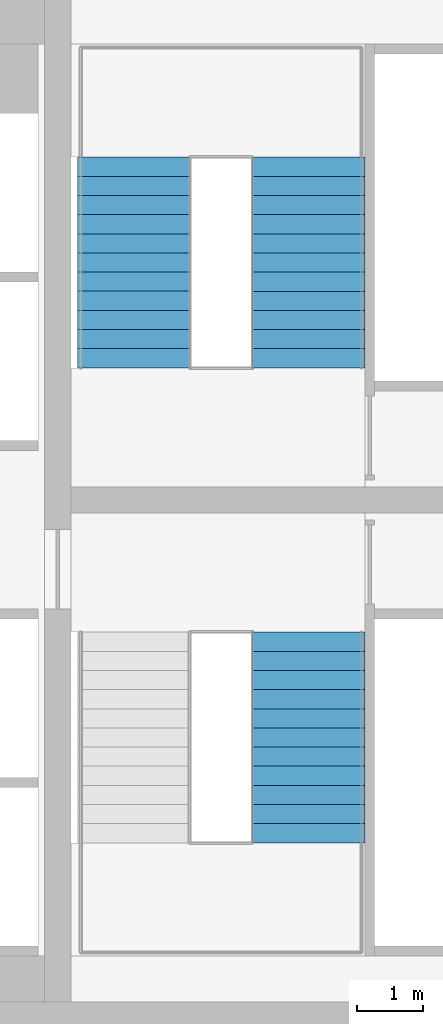
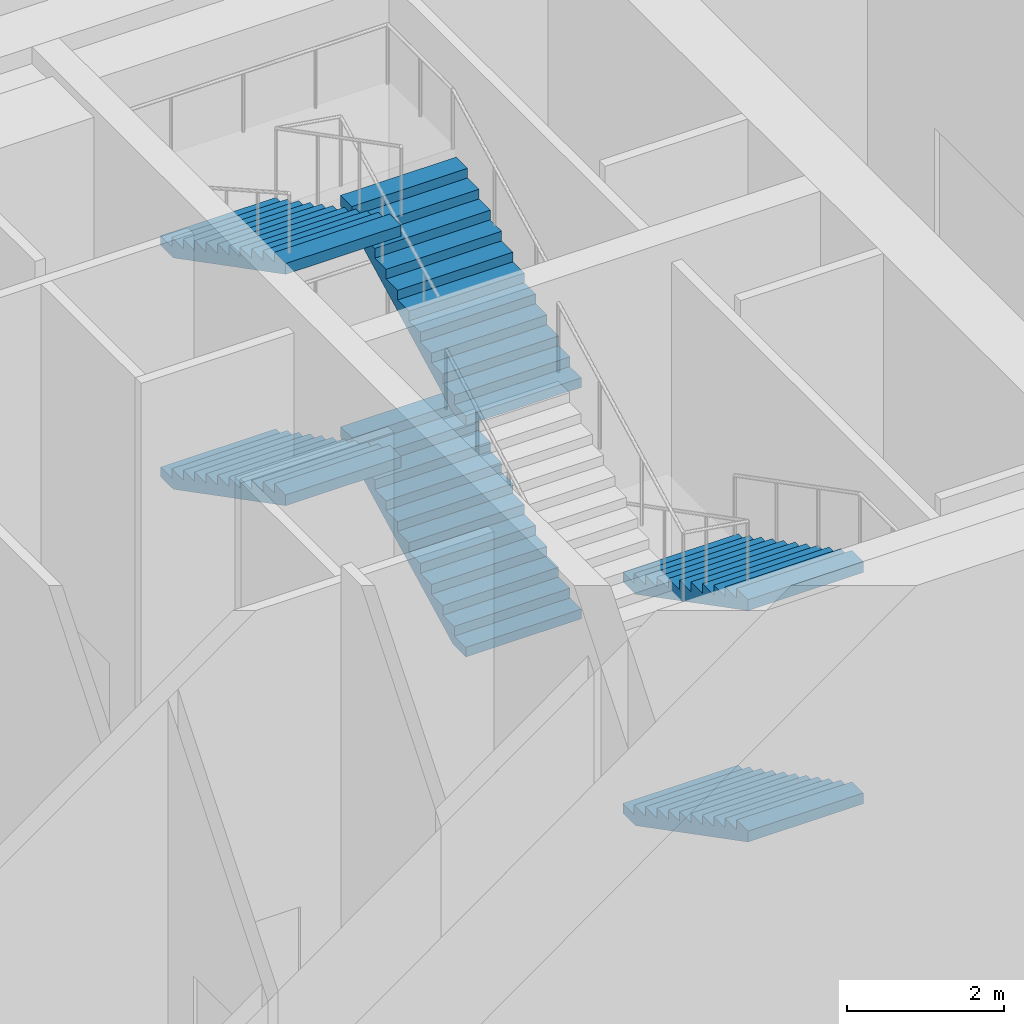
# One storey, part 23 of 25: 6 stair flights, 2 elements without a shape of their own.
"""IFC4 building model written with IfcOpenShell, lengths in metres."""

from ifc_helpers import new_model, si_unit, direction, frame, origin, place, context, subcontext, project, spatial, polyline, outline, extrude, material, type_object, element, aggregate, save


model = new_model("IFC4")

# Units and contexts
model_context = context("Model", 3, precision=1e-05, world=origin(), true_north=direction((0.0, 1.0)))
body_context = subcontext(model_context, "Body", "Model", "MODEL_VIEW")
ifc_project = project(units=[si_unit("LENGTHUNIT", "METRE"), si_unit("AREAUNIT", "SQUARE_METRE"), si_unit("VOLUMEUNIT", "CUBIC_METRE"), si_unit("PLANEANGLEUNIT", "RADIAN"), si_unit("MASSUNIT", "GRAM", prefix="KILO")], contexts=[model_context])

# Site, building, storey
site_placement = place(None, origin())
site = spatial("IfcSite", under=ifc_project, at=site_placement, CompositionType="ELEMENT")
building_placement = place(site_placement, origin())
building = spatial("IfcBuilding", under=site, at=building_placement, Name="Marenta Gate Hotel Tower", CompositionType="ELEMENT")
storey_placement = place(building_placement, frame((0.0, 0.0, 180.5)))
storey = spatial("IfcBuildingStorey", under=building, at=storey_placement, Name="L41", CompositionType="ELEMENT", Elevation=180.5)

# Stair, stair flights
ifc_material_1 = material(Name="Concrete C40", Category="concrete")
stair_type = type_object("IfcStairType", Name="Core exit stair 1700 wide", PredefinedType="HALF_TURN_STAIR", material=ifc_material_1)
stair_1_placement = place(storey_placement, origin())
stair_1 = element("IfcStair", 1, at=stair_1_placement, inside=storey, type_object=stair_type, Name="Exit stair 3", PredefinedType="HALF_TURN_STAIR")
ifc_material_2 = material(Name="Concrete C40", Category="concrete")
stair_flight_type = type_object("IfcStairFlightType", Name="Core stair flight 1700 riser 150.0 going 290", PredefinedType="STRAIGHT", material=ifc_material_2)
stair_flight_1_placement = place(storey_placement, frame((8.0, 6.39990234375, 0.0), z_axis=(0.0, 0.0, 1.0), x_axis=(0.0, -1.0, 0.0)))
stair_flight_1 = element("IfcStairFlight", 2, at=stair_flight_1_placement, type_object=stair_flight_type, Name="ST3 flight 1", NumberOfRisers=12, NumberOfTreads=11, PredefinedType="STRAIGHT", RiserHeight=0.15, TreadLength=0.29, context=body_context, shape_type="SweptSolid", body=[
    extrude(outline(polyline([(0.0, 0.0), (0.0, 0.14990234375), (0.2900390625, 0.14990234375), (0.2900390625, 0.300048828125), (0.580078125, 0.300048828125), (0.580078125, 0.449951171875), (0.8701171875, 0.449951171875), (0.8701171875, 0.60009765625), (1.159912109375, 0.60009765625), (1.159912109375, 0.75), (1.449951171875, 0.75), (1.449951171875, 0.89990234375), (1.739990234375, 0.89990234375), (1.739990234375, 1.050048828125), (2.030029296875, 1.050048828125), (2.030029296875, 1.199951171875), (2.320068359375, 1.199951171875), (2.320068359375, 1.35009765625), (2.610107421875, 1.35009765625), (2.610107421875, 1.5), (2.89990234375, 1.5), (2.89990234375, 1.64990234375), (3.18994140625, 1.64990234375), (3.18994140625, 1.800048828125), (3.18994140625, 1.481201171875), (0.326171875, 0.0), (0.0, 0.0)])), frame((0.0, 0.85009765625, 0.0), z_axis=(0.0, -1.0, 0.0), x_axis=(1.0, 0.0, 0.0)), (0.0, 0.0, 1.0), 1.699951171875),
])
stair_flight_2_placement = place(storey_placement, frame((8.0, 6.39990234375, 3.60009765625), z_axis=(0.0, 0.0, 1.0), x_axis=(0.0, -1.0, 0.0)))
stair_flight_2 = element("IfcStairFlight", 3, at=stair_flight_2_placement, type_object=stair_flight_type, Name="ST3 flight 3", NumberOfRisers=12, NumberOfTreads=11, PredefinedType="STRAIGHT", RiserHeight=0.15, TreadLength=0.29, context=body_context, shape_type="SweptSolid", body=[
    extrude(outline(polyline([(0.0, 0.0), (0.0, 0.14990234375), (0.2900390625, 0.14990234375), (0.2900390625, 0.300048828125), (0.580078125, 0.300048828125), (0.580078125, 0.449951171875), (0.8701171875, 0.449951171875), (0.8701171875, 0.60009765625), (1.159912109375, 0.60009765625), (1.159912109375, 0.75), (1.449951171875, 0.75), (1.449951171875, 0.89990234375), (1.739990234375, 0.89990234375), (1.739990234375, 1.050048828125), (2.030029296875, 1.050048828125), (2.030029296875, 1.199951171875), (2.320068359375, 1.199951171875), (2.320068359375, 1.35009765625), (2.610107421875, 1.35009765625), (2.610107421875, 1.5), (2.89990234375, 1.5), (2.89990234375, 1.64990234375), (3.18994140625, 1.64990234375), (3.18994140625, 1.800048828125), (3.18994140625, 1.481201171875), (0.326171875, 0.0), (0.0, 0.0)])), frame((0.0, 0.85009765625, 0.0), z_axis=(0.0, -1.0, 0.0), x_axis=(1.0, 0.0, 0.0)), (0.0, 0.0, 1.0), 1.699951171875),
])
aggregate(stair_1, [stair_flight_1, stair_flight_2])

stair_2_placement = place(storey_placement, origin())
stair_2 = element("IfcStair", 4, at=stair_2_placement, inside=storey, type_object=stair_type, Name="Exit stair 4", PredefinedType="HALF_TURN_STAIR")
stair_flight_3_placement = place(storey_placement, frame((8.0, 10.39990234375, 0.0), z_axis=(0.0, 0.0, 1.0), x_axis=(0.0, 1.0, 0.0)))
stair_flight_3 = element("IfcStairFlight", 5, at=stair_flight_3_placement, type_object=stair_flight_type, Name="ST4 flight 1", NumberOfRisers=12, NumberOfTreads=11, PredefinedType="STRAIGHT", RiserHeight=0.15, TreadLength=0.29, context=body_context, shape_type="SweptSolid", body=[
    extrude(outline(polyline([(0.0, 0.0), (0.0, 0.14990234375), (0.2900390625, 0.14990234375), (0.2900390625, 0.300048828125), (0.580078125, 0.300048828125), (0.580078125, 0.449951171875), (0.8701171875, 0.449951171875), (0.8701171875, 0.60009765625), (1.159912109375, 0.60009765625), (1.159912109375, 0.75), (1.449951171875, 0.75), (1.449951171875, 0.89990234375), (1.739990234375, 0.89990234375), (1.739990234375, 1.050048828125), (2.030029296875, 1.050048828125), (2.030029296875, 1.199951171875), (2.320068359375, 1.199951171875), (2.320068359375, 1.35009765625), (2.610107421875, 1.35009765625), (2.610107421875, 1.5), (2.89990234375, 1.5), (2.89990234375, 1.64990234375), (3.18994140625, 1.64990234375), (3.18994140625, 1.800048828125), (3.18994140625, 1.481201171875), (0.326171875, 0.0), (0.0, 0.0)])), frame((0.0, 0.85009765625, 0.0), z_axis=(0.0, -1.0, 0.0), x_axis=(1.0, 0.0, 0.0)), (0.0, 0.0, 1.0), 1.699951171875),
])
stair_flight_4_placement = place(storey_placement, frame((5.35009765625, 13.590087890625, 1.800048828125), z_axis=(0.0, 0.0, 1.0), x_axis=(0.0, -1.0, 0.0)))
stair_flight_4 = element("IfcStairFlight", 6, at=stair_flight_4_placement, type_object=stair_flight_type, Name="ST4 flight 2", NumberOfRisers=12, NumberOfTreads=11, PredefinedType="STRAIGHT", RiserHeight=0.15, TreadLength=0.29, context=body_context, shape_type="SweptSolid", body=[
    extrude(outline(polyline([(0.0, 0.0), (0.0, 0.14990234375), (0.2900390625, 0.14990234375), (0.2900390625, 0.300048828125), (0.580078125, 0.300048828125), (0.580078125, 0.449951171875), (0.8701171875, 0.449951171875), (0.8701171875, 0.60009765625), (1.159912109375, 0.60009765625), (1.159912109375, 0.75), (1.449951171875, 0.75), (1.449951171875, 0.89990234375), (1.739990234375, 0.89990234375), (1.739990234375, 1.050048828125), (2.030029296875, 1.050048828125), (2.030029296875, 1.199951171875), (2.320068359375, 1.199951171875), (2.320068359375, 1.35009765625), (2.610107421875, 1.35009765625), (2.610107421875, 1.5), (2.89990234375, 1.5), (2.89990234375, 1.64990234375), (3.18994140625, 1.64990234375), (3.18994140625, 1.800048828125), (3.18994140625, 1.481201171875), (0.326171875, 0.0), (0.0, 0.0)])), frame((0.0, 0.85009765625, 0.0), z_axis=(0.0, -1.0, 0.0), x_axis=(1.0, 0.0, 0.0)), (0.0, 0.0, 1.0), 1.699951171875),
])
stair_flight_5_placement = place(storey_placement, frame((8.0, 10.39990234375, 3.60009765625), z_axis=(0.0, 0.0, 1.0), x_axis=(0.0, 1.0, 0.0)))
stair_flight_5 = element("IfcStairFlight", 7, at=stair_flight_5_placement, type_object=stair_flight_type, Name="ST4 flight 3", NumberOfRisers=12, NumberOfTreads=11, PredefinedType="STRAIGHT", RiserHeight=0.15, TreadLength=0.29, context=body_context, shape_type="SweptSolid", body=[
    extrude(outline(polyline([(0.0, 0.0), (0.0, 0.14990234375), (0.2900390625, 0.14990234375), (0.2900390625, 0.300048828125), (0.580078125, 0.300048828125), (0.580078125, 0.449951171875), (0.8701171875, 0.449951171875), (0.8701171875, 0.60009765625), (1.159912109375, 0.60009765625), (1.159912109375, 0.75), (1.449951171875, 0.75), (1.449951171875, 0.89990234375), (1.739990234375, 0.89990234375), (1.739990234375, 1.050048828125), (2.030029296875, 1.050048828125), (2.030029296875, 1.199951171875), (2.320068359375, 1.199951171875), (2.320068359375, 1.35009765625), (2.610107421875, 1.35009765625), (2.610107421875, 1.5), (2.89990234375, 1.5), (2.89990234375, 1.64990234375), (3.18994140625, 1.64990234375), (3.18994140625, 1.800048828125), (3.18994140625, 1.481201171875), (0.326171875, 0.0), (0.0, 0.0)])), frame((0.0, 0.85009765625, 0.0), z_axis=(0.0, -1.0, 0.0), x_axis=(1.0, 0.0, 0.0)), (0.0, 0.0, 1.0), 1.699951171875),
])
stair_flight_6_placement = place(storey_placement, frame((5.35009765625, 13.590087890625, 5.39990234375), z_axis=(0.0, 0.0, 1.0), x_axis=(0.0, -1.0, 0.0)))
stair_flight_6 = element("IfcStairFlight", 8, at=stair_flight_6_placement, type_object=stair_flight_type, Name="ST4 flight 4", NumberOfRisers=12, NumberOfTreads=11, PredefinedType="STRAIGHT", RiserHeight=0.15, TreadLength=0.29, context=body_context, shape_type="SweptSolid", body=[
    extrude(outline(polyline([(0.0, 0.0), (0.0, 0.14990234375), (0.2900390625, 0.14990234375), (0.2900390625, 0.300048828125), (0.580078125, 0.300048828125), (0.580078125, 0.449951171875), (0.8701171875, 0.449951171875), (0.8701171875, 0.60009765625), (1.159912109375, 0.60009765625), (1.159912109375, 0.75), (1.449951171875, 0.75), (1.449951171875, 0.89990234375), (1.739990234375, 0.89990234375), (1.739990234375, 1.050048828125), (2.030029296875, 1.050048828125), (2.030029296875, 1.199951171875), (2.320068359375, 1.199951171875), (2.320068359375, 1.35009765625), (2.610107421875, 1.35009765625), (2.610107421875, 1.5), (2.89990234375, 1.5), (2.89990234375, 1.64990234375), (3.18994140625, 1.64990234375), (3.18994140625, 1.800048828125), (3.18994140625, 1.481201171875), (0.326171875, 0.0), (0.0, 0.0)])), frame((0.0, 0.85009765625, 0.0), z_axis=(0.0, -1.0, 0.0), x_axis=(1.0, 0.0, 0.0)), (0.0, 0.0, 1.0), 1.699951171875),
])
aggregate(stair_2, [stair_flight_3, stair_flight_4, stair_flight_5, stair_flight_6])

save(model, "model.ifc")
